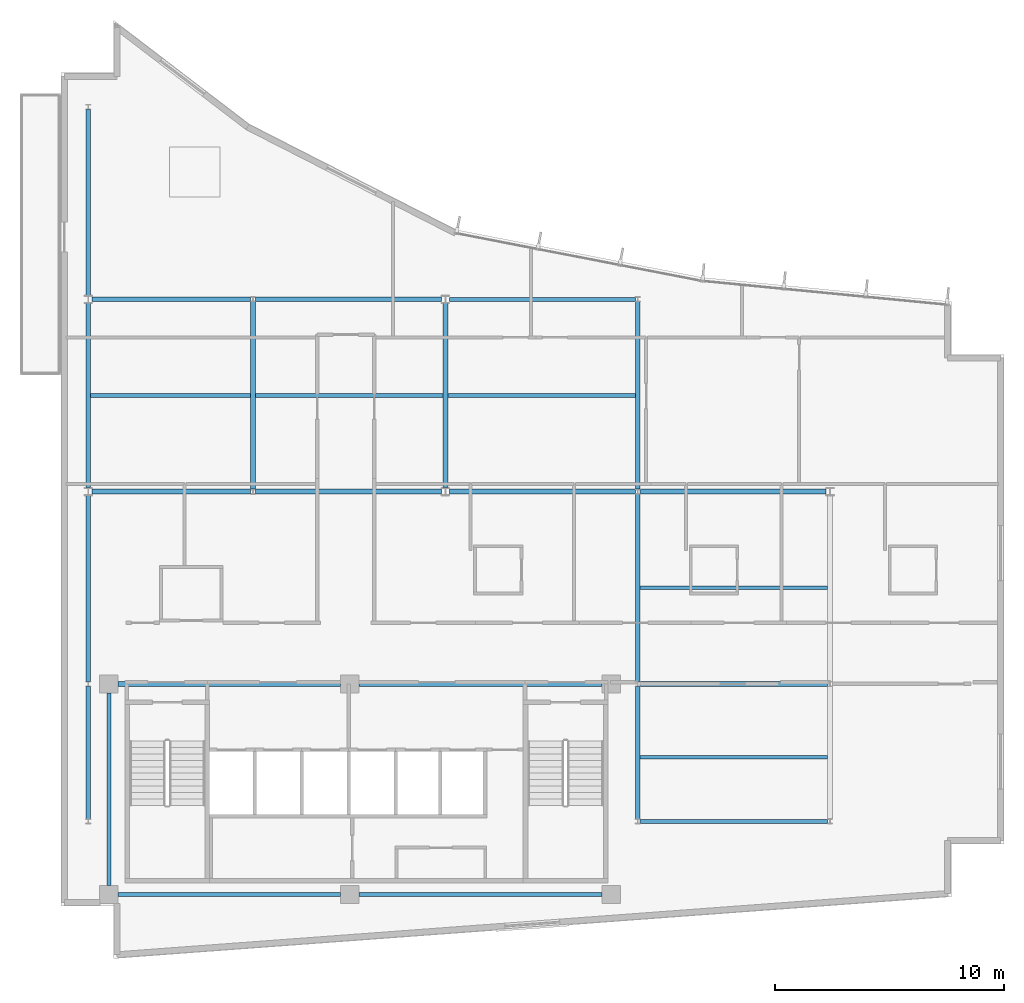
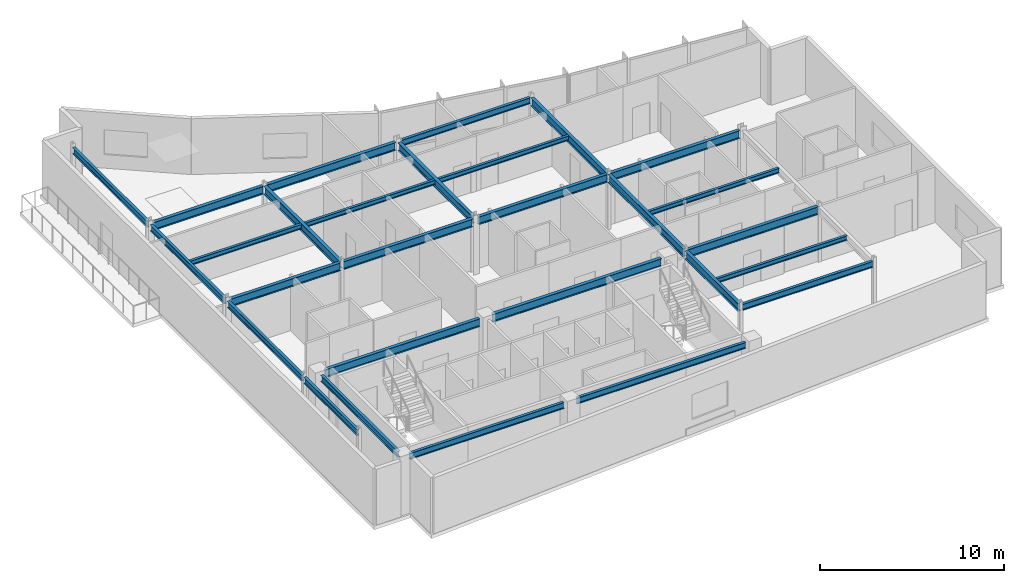
# One storey, part 5 of 15: 28 beams.
"""IFC4 building model written with IfcOpenShell, lengths in metres."""

from ifc_helpers import new_model, si_unit, direction, frame, origin, origin_2d, place, context, subcontext, project, spatial, i_section, extrude, material, material_profile, profile_set, type_object, element, save


model = new_model("IFC4")

# Units and contexts
model_context = context("Model", 3, precision=1e-05, world=origin(), true_north=direction((0.0, 1.0)))
body_context = subcontext(model_context, "Body", "Model", "MODEL_VIEW")
ifc_project = project(units=[si_unit("LENGTHUNIT", "METRE"), si_unit("AREAUNIT", "SQUARE_METRE"), si_unit("VOLUMEUNIT", "CUBIC_METRE"), si_unit("PLANEANGLEUNIT", "RADIAN"), si_unit("MASSUNIT", "GRAM", prefix="KILO")], contexts=[model_context])

# Site, building, storey
site_placement = place(None, origin())
site = spatial("IfcSite", under=ifc_project, at=site_placement, CompositionType="ELEMENT")
building_placement = place(site_placement, origin())
building = spatial("IfcBuilding", under=site, at=building_placement, Name="Varnakote Quay Hospital", CompositionType="ELEMENT")
storey_placement = place(building_placement, frame((0.0, 0.0, 284.199951171875)))
storey = spatial("IfcBuildingStorey", under=building, at=storey_placement, Name="L70", CompositionType="ELEMENT", Elevation=284.199951171875)

# Beams
ifc_material_1 = material(Name="Structural steel AS/NZS 3679.1 Grade 350 L0 (fy 340 MPa)", Category="steel")
ifc_material_profile_1 = material_profile(ifc_material_1, i_section(OverallWidth=0.208984375, OverallDepth=0.528076171875, WebThickness=0.009521484375, FlangeThickness=0.01318359375, FilletRadius=0.013916015625, at=origin_2d()), Name="530UB82.0")
ifc_profile_set_1 = profile_set([ifc_material_profile_1], Name="Structural steel AS/NZS 3679.1 Grade 350 L0 (fy 340 MPa)")
beam_type_1 = type_object("IfcBeamType", Name="BM-STL-530UB82-0", PredefinedType="BEAM", material=ifc_profile_set_1)
beam_1_placement = place(storey_placement, frame((2.5, 12.0, 3.446044921875), z_axis=(1.0, 0.0, 0.0), x_axis=(0.0, 1.0, 0.0)))
element("IfcBeam", 1, at=beam_1_placement, inside=storey, type_object=beam_type_1, Name="L70 Primary Floor Beam", PredefinedType="BEAM", context=body_context, shape_type="SweptSolid", body=[
    extrude(i_section(OverallWidth=0.208984375, OverallDepth=0.528076171875, WebThickness=0.009521484375, FlangeThickness=0.01318359375, FilletRadius=0.013916015625, at=origin_2d()), origin(), (0.0, 0.0, 1.0), 9.719970703125),
])
beam_2_placement = place(storey_placement, frame((13.02001953125, 12.0, 3.446044921875), z_axis=(1.0, 0.0, 0.0), x_axis=(0.0, 1.0, 0.0)))
element("IfcBeam", 2, at=beam_2_placement, inside=storey, type_object=beam_type_1, Name="L70 Primary Floor Beam", PredefinedType="BEAM", context=body_context, shape_type="SweptSolid", body=[
    extrude(i_section(OverallWidth=0.208984375, OverallDepth=0.528076171875, WebThickness=0.009521484375, FlangeThickness=0.01318359375, FilletRadius=0.013916015625, at=origin_2d()), origin(), (0.0, 0.0, 1.0), 10.6298828125),
])
beam_3_placement = place(storey_placement, frame((25.302490234375, 12.0, 3.446044921875), z_axis=(1.0, 0.0, 0.0), x_axis=(0.0, 1.0, 0.0)))
element("IfcBeam", 3, at=beam_3_placement, inside=storey, type_object=beam_type_1, Name="L70 Primary Floor Beam", PredefinedType="BEAM", context=body_context, shape_type="SweptSolid", body=[
    extrude(i_section(OverallWidth=0.208984375, OverallDepth=0.528076171875, WebThickness=0.009521484375, FlangeThickness=0.01318359375, FilletRadius=0.013916015625, at=origin_2d()), origin(), (0.0, 0.0, 1.0), 8.195068359375),
])
beam_4_placement = place(storey_placement, frame((1.375, 20.39990234375, 3.446044921875), z_axis=(1.0, 0.0, 0.0), x_axis=(0.0, 1.0, 0.0)))
element("IfcBeam", 4, at=beam_4_placement, inside=storey, type_object=beam_type_1, Name="L70 Primary Floor Beam", PredefinedType="BEAM", context=body_context, shape_type="SweptSolid", body=[
    extrude(i_section(OverallWidth=0.208984375, OverallDepth=0.528076171875, WebThickness=0.009521484375, FlangeThickness=0.01318359375, FilletRadius=0.013916015625, at=origin_2d()), origin(), (0.0, 0.0, 1.0), 6.922607421875),
])
beam_5_placement = place(storey_placement, frame((8.50244140625, 20.39990234375, 3.446044921875), z_axis=(1.0, 0.0, 0.0), x_axis=(0.0, 1.0, 0.0)))
element("IfcBeam", 5, at=beam_5_placement, inside=storey, type_object=beam_type_1, Name="L70 Primary Floor Beam", PredefinedType="BEAM", context=body_context, shape_type="SweptSolid", body=[
    extrude(i_section(OverallWidth=0.208984375, OverallDepth=0.528076171875, WebThickness=0.009521484375, FlangeThickness=0.01318359375, FilletRadius=0.013916015625, at=origin_2d()), origin(), (0.0, 0.0, 1.0), 8.12255859375),
])
beam_6_placement = place(storey_placement, frame((16.97509765625, 20.39990234375, 3.446044921875), z_axis=(1.0, 0.0, 0.0), x_axis=(0.0, 1.0, 0.0)))
element("IfcBeam", 6, at=beam_6_placement, inside=storey, type_object=beam_type_1, Name="L70 Primary Floor Beam", PredefinedType="BEAM", context=body_context, shape_type="SweptSolid", body=[
    extrude(i_section(OverallWidth=0.208984375, OverallDepth=0.528076171875, WebThickness=0.009521484375, FlangeThickness=0.01318359375, FilletRadius=0.013916015625, at=origin_2d()), origin(), (0.0, 0.0, 1.0), 8.122314453125),
])
beam_7_placement = place(storey_placement, frame((25.302490234375, 20.39990234375, 3.446044921875), z_axis=(1.0, 0.0, 0.0), x_axis=(0.0, 1.0, 0.0)))
element("IfcBeam", 7, at=beam_7_placement, inside=storey, type_object=beam_type_1, Name="L70 Primary Floor Beam", PredefinedType="BEAM", context=body_context, shape_type="SweptSolid", body=[
    extrude(i_section(OverallWidth=0.208984375, OverallDepth=0.528076171875, WebThickness=0.009521484375, FlangeThickness=0.01318359375, FilletRadius=0.013916015625, at=origin_2d()), origin(), (0.0, 0.0, 1.0), 8.12255859375),
])
beam_8_placement = place(storey_placement, frame((1.375, 28.800048828125, 3.446044921875), z_axis=(1.0, 0.0, 0.0), x_axis=(0.0, 1.0, 0.0)))
element("IfcBeam", 8, at=beam_8_placement, inside=storey, type_object=beam_type_1, Name="L70 Primary Floor Beam", PredefinedType="BEAM", context=body_context, shape_type="SweptSolid", body=[
    extrude(i_section(OverallWidth=0.208984375, OverallDepth=0.528076171875, WebThickness=0.009521484375, FlangeThickness=0.01318359375, FilletRadius=0.013916015625, at=origin_2d()), origin(), (0.0, 0.0, 1.0), 6.922607421875),
])
beam_9_placement = place(storey_placement, frame((8.50244140625, 28.800048828125, 3.446044921875), z_axis=(1.0, 0.0, 0.0), x_axis=(0.0, 1.0, 0.0)))
element("IfcBeam", 9, at=beam_9_placement, inside=storey, type_object=beam_type_1, Name="L70 Primary Floor Beam", PredefinedType="BEAM", context=body_context, shape_type="SweptSolid", body=[
    extrude(i_section(OverallWidth=0.208984375, OverallDepth=0.528076171875, WebThickness=0.009521484375, FlangeThickness=0.01318359375, FilletRadius=0.013916015625, at=origin_2d()), origin(), (0.0, 0.0, 1.0), 8.12255859375),
])
beam_10_placement = place(storey_placement, frame((8.39990234375, 20.5048828125, 3.446044921875), z_axis=(0.0, 1.0, 0.0), x_axis=(-1.0, 0.0, 0.0)))
element("IfcBeam", 10, at=beam_10_placement, inside=storey, type_object=beam_type_1, Name="L70 Primary Tie Beam", PredefinedType="BEAM", context=body_context, shape_type="SweptSolid", body=[
    extrude(i_section(OverallWidth=0.208984375, OverallDepth=0.528076171875, WebThickness=0.009521484375, FlangeThickness=0.01318359375, FilletRadius=0.013916015625, at=origin_2d()), origin(), (0.0, 0.0, 1.0), 8.190185546875),
])
beam_11_placement = place(storey_placement, frame((16.800048828125, 20.570068359375, 3.446044921875), z_axis=(0.0, 1.0, 0.0), x_axis=(-1.0, 0.0, 0.0)))
element("IfcBeam", 11, at=beam_11_placement, inside=storey, type_object=beam_type_1, Name="L70 Primary Tie Beam", PredefinedType="BEAM", context=body_context, shape_type="SweptSolid", body=[
    extrude(i_section(OverallWidth=0.208984375, OverallDepth=0.528076171875, WebThickness=0.009521484375, FlangeThickness=0.01318359375, FilletRadius=0.013916015625, at=origin_2d()), origin(), (0.0, 0.0, 1.0), 8.059814453125),
])
beam_12_placement = place(storey_placement, frame((25.199951171875, 6.10498046875, 3.446044921875), z_axis=(0.0, 1.0, 0.0), x_axis=(-1.0, 0.0, 0.0)))
element("IfcBeam", 12, at=beam_12_placement, inside=storey, type_object=beam_type_1, Name="L70 Primary Tie Beam", PredefinedType="BEAM", context=body_context, shape_type="SweptSolid", body=[
    extrude(i_section(OverallWidth=0.208984375, OverallDepth=0.528076171875, WebThickness=0.009521484375, FlangeThickness=0.01318359375, FilletRadius=0.013916015625, at=origin_2d()), origin(), (0.0, 0.0, 1.0), 5.7900390625),
])
beam_13_placement = place(storey_placement, frame((25.199951171875, 12.10498046875, 3.446044921875), z_axis=(0.0, 1.0, 0.0), x_axis=(-1.0, 0.0, 0.0)))
element("IfcBeam", 13, at=beam_13_placement, inside=storey, type_object=beam_type_1, Name="L70 Primary Tie Beam", PredefinedType="BEAM", context=body_context, shape_type="SweptSolid", body=[
    extrude(i_section(OverallWidth=0.208984375, OverallDepth=0.528076171875, WebThickness=0.009521484375, FlangeThickness=0.01318359375, FilletRadius=0.013916015625, at=origin_2d()), origin(), (0.0, 0.0, 1.0), 8.18994140625),
])
beam_14_placement = place(storey_placement, frame((25.199951171875, 20.5048828125, 3.446044921875), z_axis=(0.0, 1.0, 0.0), x_axis=(-1.0, 0.0, 0.0)))
element("IfcBeam", 14, at=beam_14_placement, inside=storey, type_object=beam_type_1, Name="L70 Primary Tie Beam", PredefinedType="BEAM", context=body_context, shape_type="SweptSolid", body=[
    extrude(i_section(OverallWidth=0.208984375, OverallDepth=0.528076171875, WebThickness=0.009521484375, FlangeThickness=0.01318359375, FilletRadius=0.013916015625, at=origin_2d()), origin(), (0.0, 0.0, 1.0), 8.190185546875),
])
ifc_material_2 = material(Name="Structural steel AS/NZS 3679.1 Grade 350 L0 (fy 340 MPa)", Category="steel")
ifc_material_profile_2 = material_profile(ifc_material_2, i_section(OverallWidth=0.1650390625, OverallDepth=0.303955078125, WebThickness=0.006103515625, FlangeThickness=0.01025390625, FilletRadius=0.011474609375, at=origin_2d()), Name="310UB40.4")
ifc_profile_set_2 = profile_set([ifc_material_profile_2], Name="Structural steel AS/NZS 3679.1 Grade 350 L0 (fy 340 MPa)")
beam_type_2 = type_object("IfcBeamType", Name="JST-STL-310UB40-4", PredefinedType="JOIST", material=ifc_profile_set_2)
for number, where, z_axis, x_axis, name in (
    (15, (25.304443359375, 8.800048828125, 3.55810546875), (1.0, 0.0, 0.0), (0.0, 1.0, 0.0), "L70 Composite Floor Joist"),
    (16, (25.304443359375, 16.199951171875, 3.55810546875), (1.0, 0.0, 0.0), (0.0, 1.0, 0.0), "L70 Composite Floor Joist"),
):
    element("IfcBeam", number, at=place(storey_placement, frame(where, z_axis=z_axis, x_axis=x_axis)), inside=storey, type_object=beam_type_2, Name=name, PredefinedType="JOIST", context=body_context, shape_type="SweptSolid", body=[
        extrude(i_section(OverallWidth=0.1650390625, OverallDepth=0.303955078125, WebThickness=0.006103515625, FlangeThickness=0.01025390625, FilletRadius=0.011474609375, at=origin_2d()), origin(), (0.0, 0.0, 1.0), 8.191162109375),
    ])
beam_15_placement = place(storey_placement, frame((1.2890625, 24.60009765625, 3.55810546875), z_axis=(1.0, 0.0, 0.0), x_axis=(0.0, 1.0, 0.0)))
element("IfcBeam", 17, at=beam_15_placement, inside=storey, type_object=beam_type_2, Name="L70 Composite Floor Joist", PredefinedType="JOIST", context=body_context, shape_type="SweptSolid", body=[
    extrude(i_section(OverallWidth=0.1650390625, OverallDepth=0.303955078125, WebThickness=0.006103515625, FlangeThickness=0.01025390625, FilletRadius=0.011474609375, at=origin_2d()), origin(), (0.0, 0.0, 1.0), 7.00634765625),
])
beam_16_placement = place(storey_placement, frame((8.50439453125, 24.60009765625, 3.55810546875), z_axis=(1.0, 0.0, 0.0), x_axis=(0.0, 1.0, 0.0)))
element("IfcBeam", 18, at=beam_16_placement, inside=storey, type_object=beam_type_2, Name="L70 Composite Floor Joist", PredefinedType="JOIST", context=body_context, shape_type="SweptSolid", body=[
    extrude(i_section(OverallWidth=0.1650390625, OverallDepth=0.303955078125, WebThickness=0.006103515625, FlangeThickness=0.01025390625, FilletRadius=0.011474609375, at=origin_2d()), origin(), (0.0, 0.0, 1.0), 8.191162109375),
])
beam_17_placement = place(storey_placement, frame((16.904541015625, 24.60009765625, 3.55810546875), z_axis=(1.0, 0.0, 0.0), x_axis=(0.0, 1.0, 0.0)))
element("IfcBeam", 19, at=beam_17_placement, inside=storey, type_object=beam_type_2, Name="L70 Composite Floor Joist", PredefinedType="JOIST", context=body_context, shape_type="SweptSolid", body=[
    extrude(i_section(OverallWidth=0.1650390625, OverallDepth=0.303955078125, WebThickness=0.006103515625, FlangeThickness=0.01025390625, FilletRadius=0.011474609375, at=origin_2d()), origin(), (0.0, 0.0, 1.0), 8.19091796875),
])
ifc_material_3 = material(Name="Structural steel AS/NZS 3679.1 Grade 350 L0 (fy 340 MPa)", Category="steel")
ifc_material_profile_3 = material_profile(ifc_material_3, i_section(OverallWidth=0.177978515625, OverallDepth=0.403076171875, WebThickness=0.007568359375, FlangeThickness=0.010986328125, FilletRadius=0.011474609375, at=origin_2d()), Name="410UB53.7")
ifc_profile_set_3 = profile_set([ifc_material_profile_3], Name="Structural steel AS/NZS 3679.1 Grade 350 L0 (fy 340 MPa)")
beam_type_3 = type_object("IfcBeamType", Name="SPN-STL-410UB53-7", PredefinedType="SPANDREL", material=ifc_profile_set_3)
beam_18_placement = place(storey_placement, frame((1.199951171875, 6.10498046875, 3.508544921875), z_axis=(0.0, 1.0, 0.0), x_axis=(-1.0, 0.0, 0.0)))
element("IfcBeam", 20, at=beam_18_placement, inside=storey, type_object=beam_type_3, Name="L70 Perimeter Spandrel Beam", PredefinedType="SPANDREL", context=body_context, shape_type="SweptSolid", body=[
    extrude(i_section(OverallWidth=0.177978515625, OverallDepth=0.403076171875, WebThickness=0.007568359375, FlangeThickness=0.010986328125, FilletRadius=0.011474609375, at=origin_2d()), origin(), (0.0, 0.0, 1.0), 5.7900390625),
])
beam_19_placement = place(storey_placement, frame((1.199951171875, 12.10498046875, 3.508544921875), z_axis=(0.0, 1.0, 0.0), x_axis=(-1.0, 0.0, 0.0)))
element("IfcBeam", 21, at=beam_19_placement, inside=storey, type_object=beam_type_3, Name="L70 Perimeter Spandrel Beam", PredefinedType="SPANDREL", context=body_context, shape_type="SweptSolid", body=[
    extrude(i_section(OverallWidth=0.177978515625, OverallDepth=0.403076171875, WebThickness=0.007568359375, FlangeThickness=0.010986328125, FilletRadius=0.011474609375, at=origin_2d()), origin(), (0.0, 0.0, 1.0), 8.125),
])
beam_20_placement = place(storey_placement, frame((1.199951171875, 20.570068359375, 3.508544921875), z_axis=(0.0, 1.0, 0.0), x_axis=(-1.0, 0.0, 0.0)))
element("IfcBeam", 22, at=beam_20_placement, inside=storey, type_object=beam_type_3, Name="L70 Perimeter Spandrel Beam", PredefinedType="SPANDREL", context=body_context, shape_type="SweptSolid", body=[
    extrude(i_section(OverallWidth=0.177978515625, OverallDepth=0.403076171875, WebThickness=0.007568359375, FlangeThickness=0.010986328125, FilletRadius=0.011474609375, at=origin_2d()), origin(), (0.0, 0.0, 1.0), 8.059814453125),
])
beam_21_placement = place(storey_placement, frame((1.199951171875, 28.969970703125, 3.508544921875), z_axis=(0.0, 1.0, 0.0), x_axis=(-1.0, 0.0, 0.0)))
element("IfcBeam", 23, at=beam_21_placement, inside=storey, type_object=beam_type_3, Name="L70 Perimeter Spandrel Beam", PredefinedType="SPANDREL", context=body_context, shape_type="SweptSolid", body=[
    extrude(i_section(OverallWidth=0.177978515625, OverallDepth=0.403076171875, WebThickness=0.007568359375, FlangeThickness=0.010986328125, FilletRadius=0.011474609375, at=origin_2d()), origin(), (0.0, 0.0, 1.0), 8.125),
])
beam_22_placement = place(storey_placement, frame((2.10009765625, 3.199951171875, 3.508544921875), z_axis=(0.0, 1.0, 0.0), x_axis=(-1.0, 0.0, 0.0)))
element("IfcBeam", 24, at=beam_22_placement, inside=storey, type_object=beam_type_3, Name="L70 Perimeter Spandrel Beam", PredefinedType="SPANDREL", context=body_context, shape_type="SweptSolid", body=[
    extrude(i_section(OverallWidth=0.177978515625, OverallDepth=0.403076171875, WebThickness=0.007568359375, FlangeThickness=0.010986328125, FilletRadius=0.011474609375, at=origin_2d()), origin(), (0.0, 0.0, 1.0), 8.400146484375),
])
ifc_material_4 = material(Name="Structural steel AS/NZS 3679.1 Grade 350 L0 (fy 340 MPa)", Category="steel")
ifc_material_profile_4 = material_profile(ifc_material_4, i_section(OverallWidth=0.177978515625, OverallDepth=0.406005859375, WebThickness=0.0078125, FlangeThickness=0.0126953125, FilletRadius=0.011474609375, at=origin_2d()), Name="410UB59.7")
ifc_profile_set_4 = profile_set([ifc_material_profile_4], Name="Structural steel AS/NZS 3679.1 Grade 350 L0 (fy 340 MPa)")
beam_type_4 = type_object("IfcBeamType", Name="SPN-STL-410UB59-7", PredefinedType="SPANDREL", material=ifc_profile_set_4)
beam_23_placement = place(storey_placement, frame((2.5, 2.800048828125, 3.507080078125), z_axis=(1.0, 0.0, 0.0), x_axis=(0.0, 1.0, 0.0)))
element("IfcBeam", 25, at=beam_23_placement, inside=storey, type_object=beam_type_4, Name="L70 Perimeter Spandrel Beam", PredefinedType="SPANDREL", context=body_context, shape_type="SweptSolid", body=[
    extrude(i_section(OverallWidth=0.177978515625, OverallDepth=0.406005859375, WebThickness=0.0078125, FlangeThickness=0.0126953125, FilletRadius=0.011474609375, at=origin_2d()), origin(), (0.0, 0.0, 1.0), 9.719970703125),
])
beam_24_placement = place(storey_placement, frame((13.02001953125, 2.800048828125, 3.507080078125), z_axis=(1.0, 0.0, 0.0), x_axis=(0.0, 1.0, 0.0)))
element("IfcBeam", 26, at=beam_24_placement, inside=storey, type_object=beam_type_4, Name="L70 Perimeter Spandrel Beam", PredefinedType="SPANDREL", context=body_context, shape_type="SweptSolid", body=[
    extrude(i_section(OverallWidth=0.177978515625, OverallDepth=0.406005859375, WebThickness=0.0078125, FlangeThickness=0.0126953125, FilletRadius=0.011474609375, at=origin_2d()), origin(), (0.0, 0.0, 1.0), 10.6298828125),
])
beam_25_placement = place(storey_placement, frame((25.302490234375, 6.0, 3.507080078125), z_axis=(1.0, 0.0, 0.0), x_axis=(0.0, 1.0, 0.0)))
element("IfcBeam", 27, at=beam_25_placement, inside=storey, type_object=beam_type_4, Name="L70 Perimeter Spandrel Beam", PredefinedType="SPANDREL", context=body_context, shape_type="SweptSolid", body=[
    extrude(i_section(OverallWidth=0.177978515625, OverallDepth=0.406005859375, WebThickness=0.0078125, FlangeThickness=0.0126953125, FilletRadius=0.011474609375, at=origin_2d()), origin(), (0.0, 0.0, 1.0), 8.195068359375),
])
beam_26_placement = place(storey_placement, frame((16.97509765625, 28.800048828125, 3.507080078125), z_axis=(1.0, 0.0, 0.0), x_axis=(0.0, 1.0, 0.0)))
element("IfcBeam", 28, at=beam_26_placement, inside=storey, type_object=beam_type_4, Name="L70 Perimeter Spandrel Beam", PredefinedType="SPANDREL", context=body_context, shape_type="SweptSolid", body=[
    extrude(i_section(OverallWidth=0.177978515625, OverallDepth=0.406005859375, WebThickness=0.0078125, FlangeThickness=0.0126953125, FilletRadius=0.011474609375, at=origin_2d()), origin(), (0.0, 0.0, 1.0), 8.122314453125),
])

save(model, "model.ifc")
